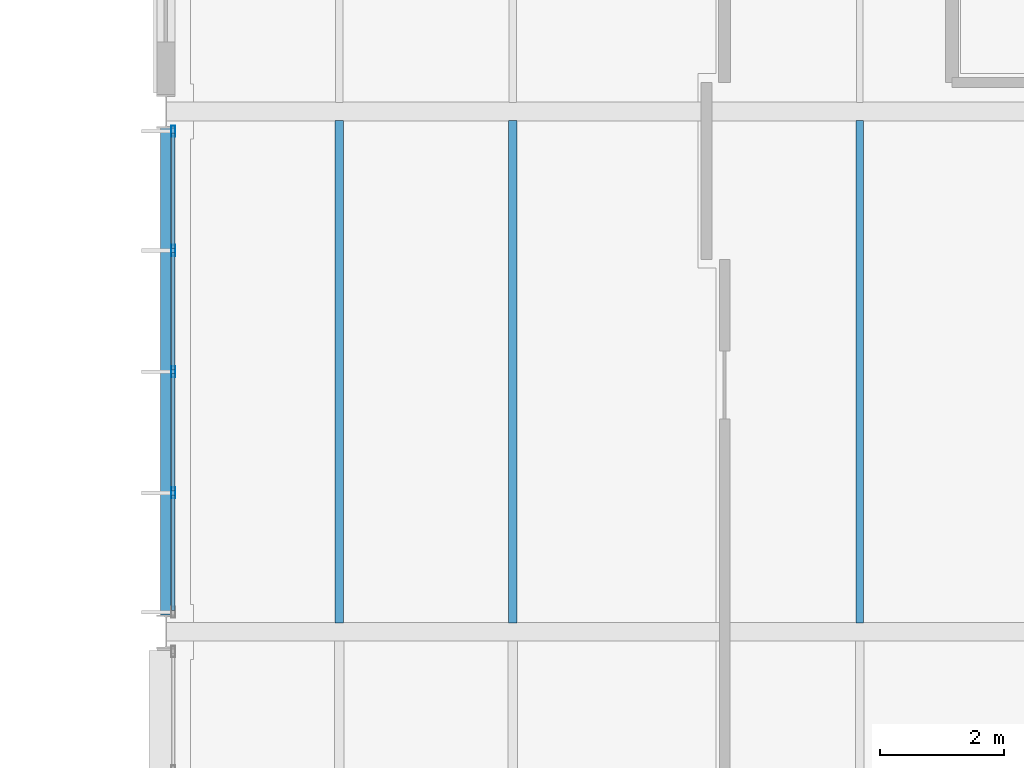
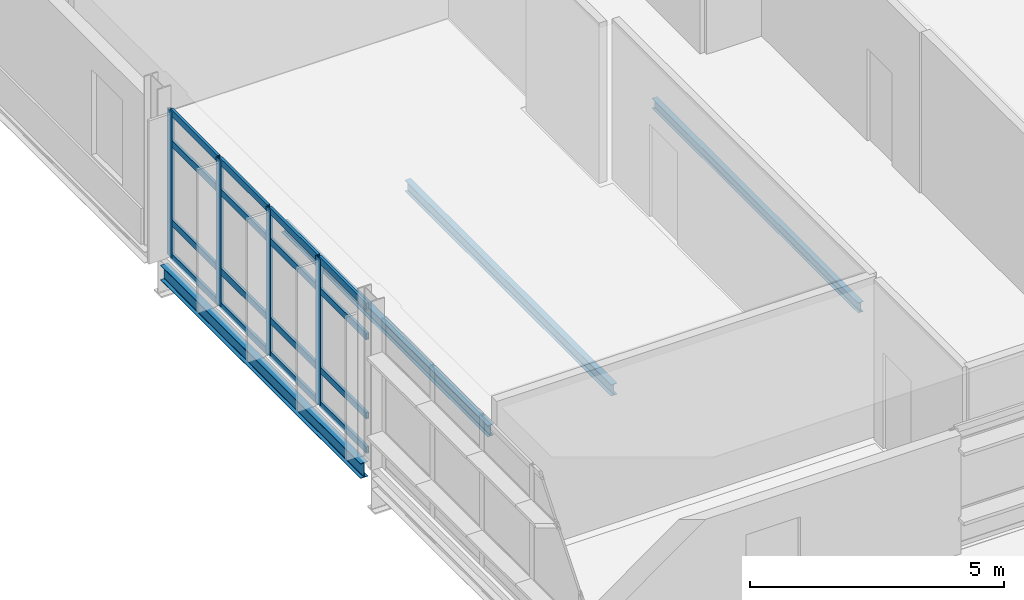
# One storey, part 30 of 103: 20 members, 4 beams, 1 element without a shape of its own.
"""IFC4 building model written with IfcOpenShell, lengths in metres."""

from ifc_helpers import new_model, si_unit, direction, frame, origin, origin_2d, place, context, subcontext, project, spatial, hollow_rectangle, i_section, extrude, material, material_profile, profile_set, type_object, element, aggregate, save


model = new_model("IFC4")

# Units and contexts
model_context = context("Model", 3, precision=1e-05, world=origin(), true_north=direction((0.0, 1.0)))
body_context = subcontext(model_context, "Body", "Model", "MODEL_VIEW")
ifc_project = project(units=[si_unit("LENGTHUNIT", "METRE"), si_unit("AREAUNIT", "SQUARE_METRE"), si_unit("VOLUMEUNIT", "CUBIC_METRE"), si_unit("PLANEANGLEUNIT", "RADIAN"), si_unit("MASSUNIT", "GRAM", prefix="KILO")], contexts=[model_context])

# Site, building, storey
site_placement = place(None, origin())
site = spatial("IfcSite", under=ifc_project, at=site_placement, CompositionType="ELEMENT")
building_placement = place(site_placement, origin())
building = spatial("IfcBuilding", under=site, at=building_placement, Name="Mersafa Astral City Hall", CompositionType="ELEMENT")
storey_placement = place(building_placement, frame((0.0, 0.0, 18.0)))
storey = spatial("IfcBuildingStorey", under=building, at=storey_placement, Name="L04", CompositionType="ELEMENT", Elevation=18.0)

# Curtain wall, members
ifc_material_1 = material(Name="Anodised bronze aluminium framing", Category="aluminium")
curtain_wall_type = type_object("IfcCurtainWallType", Name="ENV-CW-1", PredefinedType="USERDEFINED", material=ifc_material_1)
curtain_wall_placement = place(storey_placement, origin())
curtain_wall = element("IfcCurtainWall", 1, at=curtain_wall_placement, inside=storey, type_object=curtain_wall_type, Name="L04 Unitised solar curtain wall 210", ObjectType="UNITISED CURTAIN WALL", PredefinedType="USERDEFINED")
ifc_material_profile_1 = material_profile(ifc_material_1, hollow_rectangle(XDim=0.06005859375, YDim=0.179931640625, WallThickness=0.00390625, at=origin_2d()), Name="RHS 60x180x4")
ifc_profile_set_1 = profile_set([ifc_material_profile_1], Name="Anodised bronze aluminium framing")
member_type_1 = type_object("IfcMemberType", Name="ENV-CW-MUL-1", PredefinedType="MULLION", material=ifc_profile_set_1)
member_1_placement = place(storey_placement, frame((92.52001953125, 83.68310546875, -0.001953125), z_axis=(0.0, 0.0, 1.0), x_axis=(1.0, 0.0, 0.0)))
member_1 = element("IfcMember", 2, at=member_1_placement, type_object=member_type_1, Name="CW-1 mullion 1", PredefinedType="MULLION", context=body_context, shape_type="SweptSolid", body=[
    extrude(hollow_rectangle(XDim=0.06005859375, YDim=0.179931640625, WallThickness=0.00390625, at=origin_2d()), origin(), (0.0, 0.0, 1.0), 3.509033203125),
])
member_2_placement = place(storey_placement, frame((92.52001953125, 81.756591796875, -0.001953125), z_axis=(0.0, 0.0, 1.0), x_axis=(1.0, 0.0, 0.0)))
member_2 = element("IfcMember", 3, at=member_2_placement, type_object=member_type_1, Name="CW-1 mullion 2", PredefinedType="MULLION", context=body_context, shape_type="SweptSolid", body=[
    extrude(hollow_rectangle(XDim=0.06005859375, YDim=0.179931640625, WallThickness=0.00390625, at=origin_2d()), origin(), (0.0, 0.0, 1.0), 3.509033203125),
])
member_3_placement = place(storey_placement, frame((92.52001953125, 79.800048828125, -0.001953125), z_axis=(0.0, 0.0, 1.0), x_axis=(1.0, 0.0, 0.0)))
member_3 = element("IfcMember", 4, at=member_3_placement, type_object=member_type_1, Name="CW-1 mullion 3", PredefinedType="MULLION", context=body_context, shape_type="SweptSolid", body=[
    extrude(hollow_rectangle(XDim=0.06005859375, YDim=0.179931640625, WallThickness=0.00390625, at=origin_2d()), origin(), (0.0, 0.0, 1.0), 3.509033203125),
])
member_4_placement = place(storey_placement, frame((92.52001953125, 77.843505859375, -0.001953125), z_axis=(0.0, 0.0, 1.0), x_axis=(1.0, 0.0, 0.0)))
member_4 = element("IfcMember", 5, at=member_4_placement, type_object=member_type_1, Name="CW-1 mullion 4", PredefinedType="MULLION", context=body_context, shape_type="SweptSolid", body=[
    extrude(hollow_rectangle(XDim=0.06005859375, YDim=0.179931640625, WallThickness=0.00390625, at=origin_2d()), origin(), (0.0, 0.0, 1.0), 3.509033203125),
])
ifc_material_profile_2 = material_profile(ifc_material_1, hollow_rectangle(XDim=0.06005859375, YDim=0.159912109375, WallThickness=0.00390625, at=origin_2d()), Name="RHS 60x160x4")
ifc_profile_set_2 = profile_set([ifc_material_profile_2], Name="Anodised bronze aluminium framing")
member_type_2 = type_object("IfcMemberType", Name="ENV-CW-TRN-2", PredefinedType="USERDEFINED", material=ifc_profile_set_2)
member_5_placement = place(storey_placement, frame((92.52001953125, 83.653076171875, 0.028076171875), z_axis=(0.0, -1.0, 0.0), x_axis=(1.0, 0.0, 0.0)))
member_5 = element("IfcMember", 6, at=member_5_placement, type_object=member_type_2, Name="CW-1 transom 1.1", ObjectType="TRANSOM", PredefinedType="USERDEFINED", context=body_context, shape_type="SweptSolid", body=[
    extrude(hollow_rectangle(XDim=0.06005859375, YDim=0.159912109375, WallThickness=0.00390625, at=origin_2d()), origin(), (0.0, 0.0, 1.0), 1.866455078125),
])
member_6_placement = place(storey_placement, frame((92.52001953125, 83.653076171875, 0.85009765625), z_axis=(0.0, -1.0, 0.0), x_axis=(1.0, 0.0, 0.0)))
member_6 = element("IfcMember", 7, at=member_6_placement, type_object=member_type_2, Name="CW-1 transom 1.2", ObjectType="TRANSOM", PredefinedType="USERDEFINED", context=body_context, shape_type="SweptSolid", body=[
    extrude(hollow_rectangle(XDim=0.06005859375, YDim=0.159912109375, WallThickness=0.00390625, at=origin_2d()), origin(), (0.0, 0.0, 1.0), 1.866455078125),
])
member_7_placement = place(storey_placement, frame((92.52001953125, 83.653076171875, 2.75), z_axis=(0.0, -1.0, 0.0), x_axis=(1.0, 0.0, 0.0)))
member_7 = element("IfcMember", 8, at=member_7_placement, type_object=member_type_2, Name="CW-1 transom 1.3", ObjectType="TRANSOM", PredefinedType="USERDEFINED", context=body_context, shape_type="SweptSolid", body=[
    extrude(hollow_rectangle(XDim=0.06005859375, YDim=0.159912109375, WallThickness=0.00390625, at=origin_2d()), origin(), (0.0, 0.0, 1.0), 1.866455078125),
])
member_8_placement = place(storey_placement, frame((92.52001953125, 83.653076171875, 3.47705078125), z_axis=(0.0, -1.0, 0.0), x_axis=(1.0, 0.0, 0.0)))
member_8 = element("IfcMember", 9, at=member_8_placement, type_object=member_type_2, Name="CW-1 transom 1.4", ObjectType="TRANSOM", PredefinedType="USERDEFINED", context=body_context, shape_type="SweptSolid", body=[
    extrude(hollow_rectangle(XDim=0.06005859375, YDim=0.159912109375, WallThickness=0.00390625, at=origin_2d()), origin(), (0.0, 0.0, 1.0), 1.866455078125),
])
member_9_placement = place(storey_placement, frame((92.52001953125, 81.7265625, 0.028076171875), z_axis=(0.0, -1.0, 0.0), x_axis=(1.0, 0.0, 0.0)))
member_9 = element("IfcMember", 10, at=member_9_placement, type_object=member_type_2, Name="CW-1 transom 2.1", ObjectType="TRANSOM", PredefinedType="USERDEFINED", context=body_context, shape_type="SweptSolid", body=[
    extrude(hollow_rectangle(XDim=0.06005859375, YDim=0.159912109375, WallThickness=0.00390625, at=origin_2d()), origin(), (0.0, 0.0, 1.0), 1.896484375),
])
member_10_placement = place(storey_placement, frame((92.52001953125, 81.7265625, 0.85009765625), z_axis=(0.0, -1.0, 0.0), x_axis=(1.0, 0.0, 0.0)))
member_10 = element("IfcMember", 11, at=member_10_placement, type_object=member_type_2, Name="CW-1 transom 2.2", ObjectType="TRANSOM", PredefinedType="USERDEFINED", context=body_context, shape_type="SweptSolid", body=[
    extrude(hollow_rectangle(XDim=0.06005859375, YDim=0.159912109375, WallThickness=0.00390625, at=origin_2d()), origin(), (0.0, 0.0, 1.0), 1.896484375),
])
member_11_placement = place(storey_placement, frame((92.52001953125, 81.7265625, 2.75), z_axis=(0.0, -1.0, 0.0), x_axis=(1.0, 0.0, 0.0)))
member_11 = element("IfcMember", 12, at=member_11_placement, type_object=member_type_2, Name="CW-1 transom 2.3", ObjectType="TRANSOM", PredefinedType="USERDEFINED", context=body_context, shape_type="SweptSolid", body=[
    extrude(hollow_rectangle(XDim=0.06005859375, YDim=0.159912109375, WallThickness=0.00390625, at=origin_2d()), origin(), (0.0, 0.0, 1.0), 1.896484375),
])
member_12_placement = place(storey_placement, frame((92.52001953125, 81.7265625, 3.47705078125), z_axis=(0.0, -1.0, 0.0), x_axis=(1.0, 0.0, 0.0)))
member_12 = element("IfcMember", 13, at=member_12_placement, type_object=member_type_2, Name="CW-1 transom 2.4", ObjectType="TRANSOM", PredefinedType="USERDEFINED", context=body_context, shape_type="SweptSolid", body=[
    extrude(hollow_rectangle(XDim=0.06005859375, YDim=0.159912109375, WallThickness=0.00390625, at=origin_2d()), origin(), (0.0, 0.0, 1.0), 1.896484375),
])
member_13_placement = place(storey_placement, frame((92.52001953125, 79.77001953125, 0.028076171875), z_axis=(0.0, -1.0, 0.0), x_axis=(1.0, 0.0, 0.0)))
member_13 = element("IfcMember", 14, at=member_13_placement, type_object=member_type_2, Name="CW-1 transom 3.1", ObjectType="TRANSOM", PredefinedType="USERDEFINED", context=body_context, shape_type="SweptSolid", body=[
    extrude(hollow_rectangle(XDim=0.06005859375, YDim=0.159912109375, WallThickness=0.00390625, at=origin_2d()), origin(), (0.0, 0.0, 1.0), 1.896484375),
])
member_14_placement = place(storey_placement, frame((92.52001953125, 79.77001953125, 0.85009765625), z_axis=(0.0, -1.0, 0.0), x_axis=(1.0, 0.0, 0.0)))
member_14 = element("IfcMember", 15, at=member_14_placement, type_object=member_type_2, Name="CW-1 transom 3.2", ObjectType="TRANSOM", PredefinedType="USERDEFINED", context=body_context, shape_type="SweptSolid", body=[
    extrude(hollow_rectangle(XDim=0.06005859375, YDim=0.159912109375, WallThickness=0.00390625, at=origin_2d()), origin(), (0.0, 0.0, 1.0), 1.896484375),
])
member_15_placement = place(storey_placement, frame((92.52001953125, 79.77001953125, 2.75), z_axis=(0.0, -1.0, 0.0), x_axis=(1.0, 0.0, 0.0)))
member_15 = element("IfcMember", 16, at=member_15_placement, type_object=member_type_2, Name="CW-1 transom 3.3", ObjectType="TRANSOM", PredefinedType="USERDEFINED", context=body_context, shape_type="SweptSolid", body=[
    extrude(hollow_rectangle(XDim=0.06005859375, YDim=0.159912109375, WallThickness=0.00390625, at=origin_2d()), origin(), (0.0, 0.0, 1.0), 1.896484375),
])
member_16_placement = place(storey_placement, frame((92.52001953125, 79.77001953125, 3.47705078125), z_axis=(0.0, -1.0, 0.0), x_axis=(1.0, 0.0, 0.0)))
member_16 = element("IfcMember", 17, at=member_16_placement, type_object=member_type_2, Name="CW-1 transom 3.4", ObjectType="TRANSOM", PredefinedType="USERDEFINED", context=body_context, shape_type="SweptSolid", body=[
    extrude(hollow_rectangle(XDim=0.06005859375, YDim=0.159912109375, WallThickness=0.00390625, at=origin_2d()), origin(), (0.0, 0.0, 1.0), 1.896484375),
])
member_17_placement = place(storey_placement, frame((92.52001953125, 77.8134765625, 0.028076171875), z_axis=(0.0, -1.0, 0.0), x_axis=(1.0, 0.0, 0.0)))
member_17 = element("IfcMember", 18, at=member_17_placement, type_object=member_type_2, Name="CW-1 transom 4.1", ObjectType="TRANSOM", PredefinedType="USERDEFINED", context=body_context, shape_type="SweptSolid", body=[
    extrude(hollow_rectangle(XDim=0.06005859375, YDim=0.159912109375, WallThickness=0.00390625, at=origin_2d()), origin(), (0.0, 0.0, 1.0), 1.866455078125),
])
member_18_placement = place(storey_placement, frame((92.52001953125, 77.8134765625, 0.85009765625), z_axis=(0.0, -1.0, 0.0), x_axis=(1.0, 0.0, 0.0)))
member_18 = element("IfcMember", 19, at=member_18_placement, type_object=member_type_2, Name="CW-1 transom 4.2", ObjectType="TRANSOM", PredefinedType="USERDEFINED", context=body_context, shape_type="SweptSolid", body=[
    extrude(hollow_rectangle(XDim=0.06005859375, YDim=0.159912109375, WallThickness=0.00390625, at=origin_2d()), origin(), (0.0, 0.0, 1.0), 1.866455078125),
])
member_19_placement = place(storey_placement, frame((92.52001953125, 77.8134765625, 2.75), z_axis=(0.0, -1.0, 0.0), x_axis=(1.0, 0.0, 0.0)))
member_19 = element("IfcMember", 20, at=member_19_placement, type_object=member_type_2, Name="CW-1 transom 4.3", ObjectType="TRANSOM", PredefinedType="USERDEFINED", context=body_context, shape_type="SweptSolid", body=[
    extrude(hollow_rectangle(XDim=0.06005859375, YDim=0.159912109375, WallThickness=0.00390625, at=origin_2d()), origin(), (0.0, 0.0, 1.0), 1.866455078125),
])
member_20_placement = place(storey_placement, frame((92.52001953125, 77.8134765625, 3.47705078125), z_axis=(0.0, -1.0, 0.0), x_axis=(1.0, 0.0, 0.0)))
member_20 = element("IfcMember", 21, at=member_20_placement, type_object=member_type_2, Name="CW-1 transom 4.4", ObjectType="TRANSOM", PredefinedType="USERDEFINED", context=body_context, shape_type="SweptSolid", body=[
    extrude(hollow_rectangle(XDim=0.06005859375, YDim=0.159912109375, WallThickness=0.00390625, at=origin_2d()), origin(), (0.0, 0.0, 1.0), 1.866455078125),
])
aggregate(curtain_wall, [member_1, member_2, member_3, member_4, member_5, member_6, member_7, member_8, member_9, member_10, member_11, member_12, member_13, member_14, member_15, member_16, member_17, member_18, member_19, member_20])

# Beams
ifc_material_2 = material(Name="Steel S355", Category="steel")
ifc_material_profile_3 = material_profile(ifc_material_2, i_section(OverallWidth=0.1201171875, OverallDepth=0.239990234375, WebThickness=0.006103515625, FlangeThickness=0.009765625, FilletRadius=0.014892578125, at=origin_2d()), Name="IPE 240")
ifc_profile_set_3 = profile_set([ifc_material_profile_3], Name="Steel S355")
beam_type_1 = type_object("IfcBeamType", Name="STR-BM-JOIST-IPE240", PredefinedType="JOIST", material=ifc_profile_set_3)
beam_1_placement = place(storey_placement, frame((103.60009765625, 75.7451171875, -0.304931640625), z_axis=(0.0, 1.0, 0.0), x_axis=(-1.0, 0.0, 0.0)))
element("IfcBeam", 22, at=beam_1_placement, inside=storey, type_object=beam_type_1, Name="L04 Composite secondary floor joist 720", PredefinedType="JOIST", context=body_context, shape_type="SweptSolid", body=[
    extrude(i_section(OverallWidth=0.1201171875, OverallDepth=0.239990234375, WebThickness=0.006103515625, FlangeThickness=0.009765625, FilletRadius=0.014892578125, at=origin_2d()), origin(), (0.0, 0.0, 1.0), 8.10986328125),
])
ifc_material_profile_4 = material_profile(ifc_material_2, i_section(OverallWidth=0.135009765625, OverallDepth=0.27001953125, WebThickness=0.006591796875, FlangeThickness=0.01025390625, FilletRadius=0.014892578125, at=origin_2d()), Name="IPE 270")
ifc_profile_set_4 = profile_set([ifc_material_profile_4], Name="Steel S355")
beam_type_2 = type_object("IfcBeamType", Name="STR-BM-JOIST-IPE270", PredefinedType="JOIST", material=ifc_profile_set_4)
for number, where, z_axis, x_axis, name in (
    (23, (95.199951171875, 75.7451171875, -0.320068359375), (0.0, 1.0, 0.0), (-1.0, 0.0, 0.0), "L04 Composite secondary floor joist 712"),
    (24, (98.0, 75.7451171875, -0.320068359375), (0.0, 1.0, 0.0), (-1.0, 0.0, 0.0), "L04 Composite secondary floor joist 713"),
):
    element("IfcBeam", number, at=place(storey_placement, frame(where, z_axis=z_axis, x_axis=x_axis)), inside=storey, type_object=beam_type_2, Name=name, PredefinedType="JOIST", context=body_context, shape_type="SweptSolid", body=[
        extrude(i_section(OverallWidth=0.135009765625, OverallDepth=0.27001953125, WebThickness=0.006591796875, FlangeThickness=0.01025390625, FilletRadius=0.014892578125, at=origin_2d()), origin(), (0.0, 0.0, 1.0), 8.10986328125),
    ])
ifc_material_profile_5 = material_profile(ifc_material_2, i_section(OverallWidth=0.169921875, OverallDepth=0.360107421875, WebThickness=0.008056640625, FlangeThickness=0.0126953125, FilletRadius=0.01806640625, at=origin_2d()), Name="IPE 360")
ifc_profile_set_5 = profile_set([ifc_material_profile_5], Name="Steel S355")
beam_type_3 = type_object("IfcBeamType", Name="STR-BM-SPANDREL-IPE360", PredefinedType="SPANDREL", material=ifc_profile_set_5)
beam_2_placement = place(storey_placement, frame((92.39990234375, 75.8701171875, -0.364990234375), z_axis=(0.0, 1.0, 0.0), x_axis=(-1.0, 0.0, 0.0)))
element("IfcBeam", 25, at=beam_2_placement, inside=storey, type_object=beam_type_3, Name="L04 Primary girder Y 11-9", PredefinedType="SPANDREL", context=body_context, shape_type="SweptSolid", body=[
    extrude(i_section(OverallWidth=0.169921875, OverallDepth=0.360107421875, WebThickness=0.008056640625, FlangeThickness=0.0126953125, FilletRadius=0.01806640625, at=origin_2d()), origin(), (0.0, 0.0, 1.0), 7.85986328125),
])

save(model, "model.ifc")
